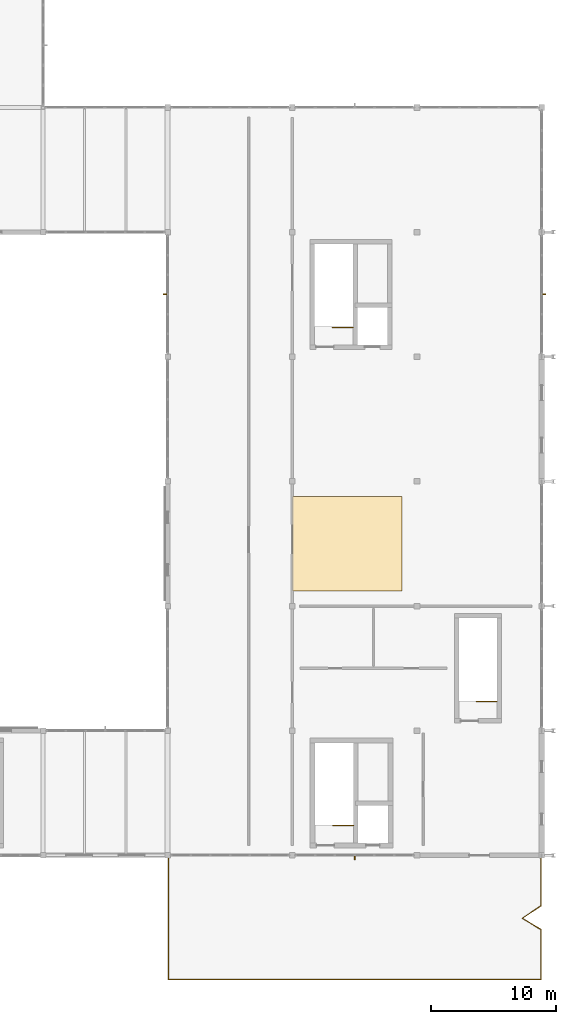
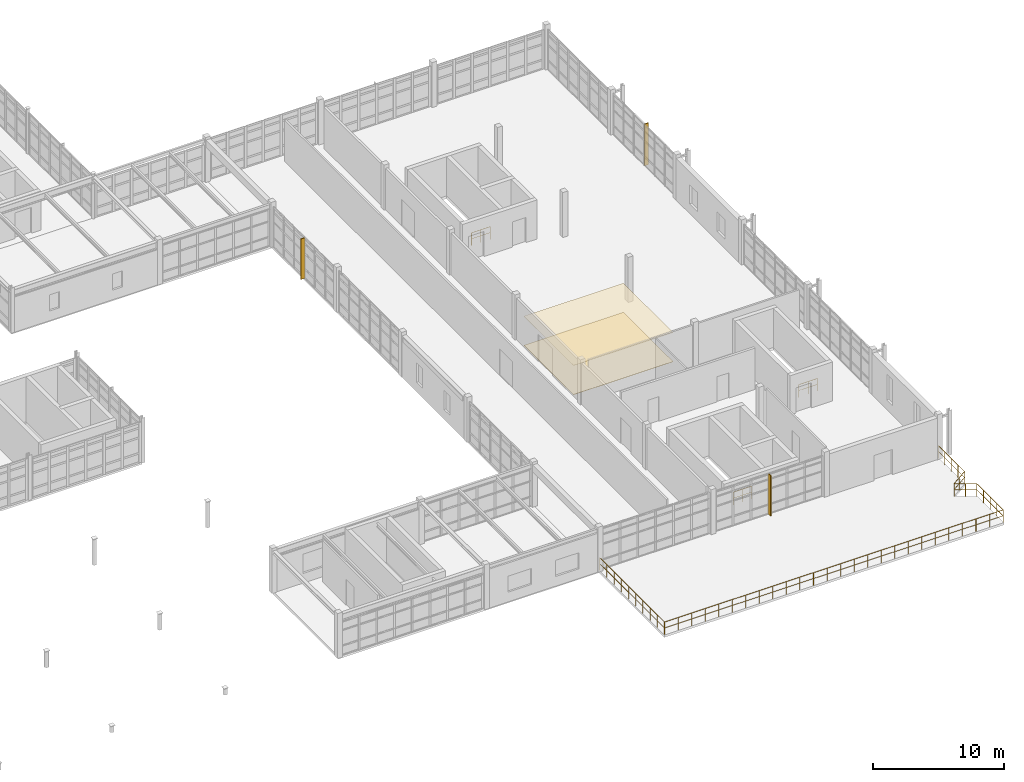
# One storey, part 121 of 122: 4 railings, 3 shading devices, 2 coverings.
"""IFC4 building model written with IfcOpenShell, lengths in metres."""

from ifc_helpers import new_model, si_unit, direction, frame, origin, origin_2d, place, context, subcontext, project, spatial, polyline, rectangle, circle, outline, extrude, material, layer, layer_set, type_object, element, save


model = new_model("IFC4")

# Units and contexts
model_context = context("Model", 3, precision=1e-05, world=origin(), true_north=direction((0.0, 1.0)))
body_context = subcontext(model_context, "Body", "Model", "MODEL_VIEW")
ifc_project = project(units=[si_unit("LENGTHUNIT", "METRE"), si_unit("AREAUNIT", "SQUARE_METRE"), si_unit("VOLUMEUNIT", "CUBIC_METRE"), si_unit("PLANEANGLEUNIT", "RADIAN"), si_unit("MASSUNIT", "GRAM", prefix="KILO"), si_unit("THERMODYNAMICTEMPERATUREUNIT", "KELVIN"), si_unit("POWERUNIT", "WATT")], contexts=[model_context])

# Site, building, storey
site_placement = place(None, origin())
site = spatial("IfcSite", under=ifc_project, at=site_placement, CompositionType="ELEMENT")
building_placement = place(site_placement, origin())
building = spatial("IfcBuilding", under=site, at=building_placement, Name="Korenveer Ferry Terminal", CompositionType="ELEMENT")
storey_placement = place(building_placement, frame((0.0, 0.0, 10.199951171875)))
storey = spatial("IfcBuildingStorey", under=building, at=storey_placement, Name="L02", CompositionType="ELEMENT", Elevation=10.199951171875)

# Railing
ifc_material_1 = material(Name="Marine stainless and bronze balustrade", Category="aluminium")
railing_type_1 = type_object("IfcRailingType", Name="ENV-RL-BAL120", PredefinedType="BALUSTRADE", material=ifc_material_1)
railing_1_placement = place(storey_placement, frame((146.050048828125, 19.949951171875, 0.0)))
element("IfcRailing", 1, at=railing_1_placement, inside=storey, type_object=railing_type_1, Name="Outdoor terrace balustrade 6", PredefinedType="BALUSTRADE", context=body_context, shape_type="SweptSolid", body=[
    extrude(circle(Radius=0.02392578125, at=origin_2d()), frame((0.0, 0.0, 1.17578125), z_axis=(0.0, -1.0, 0.0), x_axis=(1.0, 0.0, 0.0)), (0.0, 0.0, 1.0), 9.89990234375),
    extrude(circle(Radius=0.01806640625, at=origin_2d()), frame((0.0, 0.0, 0.6240234375), z_axis=(0.0, -1.0, 0.0), x_axis=(1.0, 0.0, 0.0)), (0.0, 0.0, 1.0), 9.89990234375),
    extrude(circle(Radius=0.02392578125, at=origin_2d()), frame((0.0, -9.89990234375, 1.17578125), z_axis=(1.0, 0.0, 0.0), x_axis=(0.0, 1.0, 0.0)), (0.0, 0.0, 1.0), 29.89990234375),
    extrude(circle(Radius=0.01806640625, at=origin_2d()), frame((0.0, -9.89990234375, 0.6240234375), z_axis=(1.0, 0.0, 0.0), x_axis=(0.0, 1.0, 0.0)), (0.0, 0.0, 1.0), 29.89990234375),
    extrude(circle(Radius=0.02392578125, at=origin_2d()), frame((29.89990234375, -9.89990234375, 1.17578125), z_axis=(0.0, 1.0, 0.0), x_axis=(-1.0, 0.0, 0.0)), (0.0, 0.0, 1.0), 4.0),
    extrude(circle(Radius=0.01806640625, at=origin_2d()), frame((29.89990234375, -9.89990234375, 0.6240234375), z_axis=(0.0, 1.0, 0.0), x_axis=(-1.0, 0.0, 0.0)), (0.0, 0.0, 1.0), 4.0),
    extrude(circle(Radius=0.02392578125, at=origin_2d()), frame((29.89990234375, -5.89990234375, 1.17578125), z_axis=(-0.857517554715, 0.514454704863, 0.0), x_axis=(-0.514454704863, -0.857517554715, 0.0)), (0.0, 0.0, 1.0), 1.749267578125),
    extrude(circle(Radius=0.01806640625, at=origin_2d()), frame((29.89990234375, -5.89990234375, 0.6240234375), z_axis=(-0.857517554715, 0.514454704863, 0.0), x_axis=(-0.514454704863, -0.857517554715, 0.0)), (0.0, 0.0, 1.0), 1.749267578125),
    extrude(circle(Radius=0.02392578125, at=origin_2d()), frame((28.39990234375, -5.0, 1.17578125), z_axis=(0.832050294338, 0.554700196225, 0.0), x_axis=(-0.554700196225, 0.832050294338, 0.0)), (0.0, 0.0, 1.0), 1.802734375),
    extrude(circle(Radius=0.01806640625, at=origin_2d()), frame((28.39990234375, -5.0, 0.6240234375), z_axis=(0.832050294338, 0.554700196225, 0.0), x_axis=(-0.554700196225, 0.832050294338, 0.0)), (0.0, 0.0, 1.0), 1.802734375),
    extrude(circle(Radius=0.02392578125, at=origin_2d()), frame((29.89990234375, -4.0, 1.17578125), z_axis=(0.0, 1.0, 0.0), x_axis=(-1.0, 0.0, 0.0)), (0.0, 0.0, 1.0), 4.0),
    extrude(circle(Radius=0.01806640625, at=origin_2d()), frame((29.89990234375, -4.0, 0.6240234375), z_axis=(0.0, 1.0, 0.0), x_axis=(-1.0, 0.0, 0.0)), (0.0, 0.0, 1.0), 4.0),
    extrude(circle(Radius=0.02099609375, at=origin_2d()), origin(), (0.0, 0.0, 1.0), 1.15185546875),
    extrude(circle(Radius=0.02099609375, at=origin_2d()), frame((0.0, -1.10009765625, 0.0)), (0.0, 0.0, 1.0), 1.15185546875),
    extrude(circle(Radius=0.02099609375, at=origin_2d()), frame((0.0, -2.199951171875, 0.0)), (0.0, 0.0, 1.0), 1.15185546875),
    extrude(circle(Radius=0.02099609375, at=origin_2d()), frame((0.0, -3.300048828125, 0.0)), (0.0, 0.0, 1.0), 1.15185546875),
    extrude(circle(Radius=0.02099609375, at=origin_2d()), frame((0.0, -4.39990234375, 0.0)), (0.0, 0.0, 1.0), 1.15185546875),
    extrude(circle(Radius=0.02099609375, at=origin_2d()), frame((0.0, -5.5, 0.0)), (0.0, 0.0, 1.0), 1.15185546875),
    extrude(circle(Radius=0.02099609375, at=origin_2d()), frame((0.0, -6.599853515625, 0.0)), (0.0, 0.0, 1.0), 1.15185546875),
    extrude(circle(Radius=0.02099609375, at=origin_2d()), frame((0.0, -7.699951171875, 0.0)), (0.0, 0.0, 1.0), 1.15185546875),
    extrude(circle(Radius=0.02099609375, at=origin_2d()), frame((0.0, -8.7998046875, 0.0)), (0.0, 0.0, 1.0), 1.15185546875),
    extrude(circle(Radius=0.02099609375, at=origin_2d()), frame((0.0, -9.89990234375, 0.0)), (0.0, 0.0, 1.0), 1.15185546875),
    extrude(circle(Radius=0.02099609375, at=origin_2d()), frame((1.196044921875, -9.89990234375, 0.0)), (0.0, 0.0, 1.0), 1.15185546875),
    extrude(circle(Radius=0.02099609375, at=origin_2d()), frame((2.39208984375, -9.89990234375, 0.0)), (0.0, 0.0, 1.0), 1.15185546875),
    extrude(circle(Radius=0.02099609375, at=origin_2d()), frame((3.587890625, -9.89990234375, 0.0)), (0.0, 0.0, 1.0), 1.15185546875),
    extrude(circle(Radius=0.02099609375, at=origin_2d()), frame((4.783935546875, -9.89990234375, 0.0)), (0.0, 0.0, 1.0), 1.15185546875),
    extrude(circle(Radius=0.02099609375, at=origin_2d()), frame((5.97998046875, -9.89990234375, 0.0)), (0.0, 0.0, 1.0), 1.15185546875),
    extrude(circle(Radius=0.02099609375, at=origin_2d()), frame((7.176025390625, -9.89990234375, 0.0)), (0.0, 0.0, 1.0), 1.15185546875),
    extrude(circle(Radius=0.02099609375, at=origin_2d()), frame((8.3720703125, -9.89990234375, 0.0)), (0.0, 0.0, 1.0), 1.15185546875),
    extrude(circle(Radius=0.02099609375, at=origin_2d()), frame((9.56787109375, -9.89990234375, 0.0)), (0.0, 0.0, 1.0), 1.15185546875),
    extrude(circle(Radius=0.02099609375, at=origin_2d()), frame((10.763916015625, -9.89990234375, 0.0)), (0.0, 0.0, 1.0), 1.15185546875),
    extrude(circle(Radius=0.02099609375, at=origin_2d()), frame((11.9599609375, -9.89990234375, 0.0)), (0.0, 0.0, 1.0), 1.15185546875),
    extrude(circle(Radius=0.02099609375, at=origin_2d()), frame((13.156005859375, -9.89990234375, 0.0)), (0.0, 0.0, 1.0), 1.15185546875),
    extrude(circle(Radius=0.02099609375, at=origin_2d()), frame((14.35205078125, -9.89990234375, 0.0)), (0.0, 0.0, 1.0), 1.15185546875),
    extrude(circle(Radius=0.02099609375, at=origin_2d()), frame((15.5478515625, -9.89990234375, 0.0)), (0.0, 0.0, 1.0), 1.15185546875),
    extrude(circle(Radius=0.02099609375, at=origin_2d()), frame((16.743896484375, -9.89990234375, 0.0)), (0.0, 0.0, 1.0), 1.15185546875),
    extrude(circle(Radius=0.02099609375, at=origin_2d()), frame((17.93994140625, -9.89990234375, 0.0)), (0.0, 0.0, 1.0), 1.15185546875),
    extrude(circle(Radius=0.02099609375, at=origin_2d()), frame((19.135986328125, -9.89990234375, 0.0)), (0.0, 0.0, 1.0), 1.15185546875),
    extrude(circle(Radius=0.02099609375, at=origin_2d()), frame((20.33203125, -9.89990234375, 0.0)), (0.0, 0.0, 1.0), 1.15185546875),
    extrude(circle(Radius=0.02099609375, at=origin_2d()), frame((21.52783203125, -9.89990234375, 0.0)), (0.0, 0.0, 1.0), 1.15185546875),
    extrude(circle(Radius=0.02099609375, at=origin_2d()), frame((22.723876953125, -9.89990234375, 0.0)), (0.0, 0.0, 1.0), 1.15185546875),
    extrude(circle(Radius=0.02099609375, at=origin_2d()), frame((23.919921875, -9.89990234375, 0.0)), (0.0, 0.0, 1.0), 1.15185546875),
    extrude(circle(Radius=0.02099609375, at=origin_2d()), frame((25.115966796875, -9.89990234375, 0.0)), (0.0, 0.0, 1.0), 1.15185546875),
    extrude(circle(Radius=0.02099609375, at=origin_2d()), frame((26.31201171875, -9.89990234375, 0.0)), (0.0, 0.0, 1.0), 1.15185546875),
    extrude(circle(Radius=0.02099609375, at=origin_2d()), frame((27.5078125, -9.89990234375, 0.0)), (0.0, 0.0, 1.0), 1.15185546875),
    extrude(circle(Radius=0.02099609375, at=origin_2d()), frame((28.703857421875, -9.89990234375, 0.0)), (0.0, 0.0, 1.0), 1.15185546875),
    extrude(circle(Radius=0.02099609375, at=origin_2d()), frame((29.89990234375, -9.89990234375, 0.0)), (0.0, 0.0, 1.0), 1.15185546875),
    extrude(circle(Radius=0.02099609375, at=origin_2d()), frame((29.89990234375, -8.89990234375, 0.0)), (0.0, 0.0, 1.0), 1.15185546875),
    extrude(circle(Radius=0.02099609375, at=origin_2d()), frame((29.89990234375, -7.89990234375, 0.0)), (0.0, 0.0, 1.0), 1.15185546875),
    extrude(circle(Radius=0.02099609375, at=origin_2d()), frame((29.89990234375, -6.89990234375, 0.0)), (0.0, 0.0, 1.0), 1.15185546875),
    extrude(circle(Radius=0.02099609375, at=origin_2d()), frame((29.89990234375, -5.89990234375, 0.0)), (0.0, 0.0, 1.0), 1.15185546875),
    extrude(circle(Radius=0.02099609375, at=origin_2d()), frame((29.14990234375, -5.449951171875, 0.0)), (0.0, 0.0, 1.0), 1.15185546875),
    extrude(circle(Radius=0.02099609375, at=origin_2d()), frame((28.39990234375, -5.0, 0.0)), (0.0, 0.0, 1.0), 1.15185546875),
    extrude(circle(Radius=0.02099609375, at=origin_2d()), frame((29.14990234375, -4.5, 0.0)), (0.0, 0.0, 1.0), 1.15185546875),
    extrude(circle(Radius=0.02099609375, at=origin_2d()), frame((29.89990234375, -4.0, 0.0)), (0.0, 0.0, 1.0), 1.15185546875),
    extrude(circle(Radius=0.02099609375, at=origin_2d()), frame((29.89990234375, -3.0, 0.0)), (0.0, 0.0, 1.0), 1.15185546875),
    extrude(circle(Radius=0.02099609375, at=origin_2d()), frame((29.89990234375, -2.0, 0.0)), (0.0, 0.0, 1.0), 1.15185546875),
    extrude(circle(Radius=0.02099609375, at=origin_2d()), frame((29.89990234375, -1.0, 0.0)), (0.0, 0.0, 1.0), 1.15185546875),
    extrude(circle(Radius=0.02099609375, at=origin_2d()), frame((29.89990234375, 0.0, 0.0)), (0.0, 0.0, 1.0), 1.15185546875),
])

# Shading devices
ifc_material_2 = material(Name="Anodised bronze aluminium solar fin", Category="aluminium")
shading_device_type = type_object("IfcShadingDeviceType", Name="ENV-SHD-FIN", PredefinedType="JALOUSIE", material=ifc_material_2)
for number, where, z_axis, x_axis, name in (
    (2, (161.0, 19.840087890625, -0.02001953125), (0.0, 0.0, 1.0), (0.0, 1.0, 0.0), "Gothic solar fin 39"),
    (3, (145.840087890625, 65.0, -0.02001953125), (0.0, 0.0, 1.0), (1.0, 0.0, 0.0), "Gothic solar fin 59"),
):
    element("IfcShadingDevice", number, at=place(storey_placement, frame(where, z_axis=z_axis, x_axis=x_axis)), inside=storey, type_object=shading_device_type, Name=name, PredefinedType="JALOUSIE", context=body_context, shape_type="SweptSolid", body=[
        extrude(rectangle(XDim=0.360107421875, YDim=0.080078125, at=origin_2d()), origin(), (0.0, 0.0, 1.0), 3.780029296875),
    ])
shading_device_placement = place(storey_placement, frame((176.159912109375, 65.0, -0.019775390625), z_axis=(0.0, 0.0, 1.0), x_axis=(1.0, 0.0, 0.0)))
element("IfcShadingDevice", 4, at=shading_device_placement, inside=storey, type_object=shading_device_type, Name="Gothic solar fin 60", PredefinedType="JALOUSIE", context=body_context, shape_type="SweptSolid", body=[
    extrude(rectangle(XDim=0.360107421875, YDim=0.080078125, at=origin_2d()), origin(), (0.0, 0.0, 1.0), 3.8798828125),
])

# Coverings
ifc_material_3 = material(Name="Mineral acoustic ceiling board", Category="other")
ifc_layer_1 = layer(ifc_material_3, 0.02490234375)
ifc_layer_set_1 = layer_set([ifc_layer_1], Name="Mineral acoustic ceiling board")
covering_type_1 = type_object("IfcCoveringType", Name="INT-COV-CEIL", PredefinedType="CEILING", material=ifc_layer_set_1)
covering_1_placement = place(storey_placement, frame((0.0, 0.0, 2.72509765625)))
element("IfcCovering", 5, at=covering_1_placement, inside=storey, type_object=covering_type_1, Name="Acoustic room ceiling 10", PredefinedType="CEILING", context=body_context, shape_type="SweptSolid", body=[
    extrude(outline(polyline([(156.0, 41.199951171875), (164.800048828125, 41.199951171875), (164.800048828125, 48.800048828125), (156.0, 48.800048828125), (156.0, 41.199951171875)])), origin(), (0.0, 0.0, 1.0), 0.02490234375),
])
ifc_material_4 = material(Name="Polished terrazzo tile finish", Category="masonry")
ifc_layer_2 = layer(ifc_material_4, 0.030029296875)
ifc_layer_set_2 = layer_set([ifc_layer_2], Name="Polished terrazzo tile finish")
covering_type_2 = type_object("IfcCoveringType", Name="INT-COV-FLR", PredefinedType="FLOORING", material=ifc_layer_set_2)
covering_2_placement = place(storey_placement, origin())
element("IfcCovering", 6, at=covering_2_placement, inside=storey, type_object=covering_type_2, Name="Terrazzo floor finish 10", PredefinedType="FLOORING", context=body_context, shape_type="SweptSolid", body=[
    extrude(outline(polyline([(156.0, 41.199951171875), (164.800048828125, 41.199951171875), (164.800048828125, 48.800048828125), (156.0, 48.800048828125), (156.0, 41.199951171875)])), origin(), (0.0, 0.0, 1.0), 0.030029296875),
])

# Railings
ifc_material_5 = material(Name="Painted steel stair guard", Category="steel")
railing_type_2 = type_object("IfcRailingType", Name="INT-RL-STGRD", PredefinedType="GUARDRAIL", material=ifc_material_5)
railing_2_placement = place(storey_placement, frame((160.89990234375, 22.39990234375, 0.0)))
element("IfcRailing", 7, at=railing_2_placement, inside=storey, type_object=railing_type_2, Name="L02 ST03 top well guard 1", PredefinedType="GUARDRAIL", context=body_context, shape_type="SweptSolid", body=[
    extrude(circle(Radius=0.02392578125, at=origin_2d()), frame((0.0, 0.0, 1.17578125), z_axis=(-1.0, 0.0, 0.0), x_axis=(0.0, -1.0, 0.0)), (0.0, 0.0, 1.0), 1.64990234375),
    extrude(circle(Radius=0.01806640625, at=origin_2d()), frame((0.0, 0.0, 0.6240234375), z_axis=(-1.0, 0.0, 0.0), x_axis=(0.0, -1.0, 0.0)), (0.0, 0.0, 1.0), 1.64990234375),
    extrude(circle(Radius=0.02099609375, at=origin_2d()), origin(), (0.0, 0.0, 1.0), 1.15185546875),
    extrude(circle(Radius=0.02099609375, at=origin_2d()), frame((-0.824951171875, 0.0, 0.0)), (0.0, 0.0, 1.0), 1.15185546875),
    extrude(circle(Radius=0.02099609375, at=origin_2d()), frame((-1.64990234375, 0.0, 0.0)), (0.0, 0.0, 1.0), 1.15185546875),
])
railing_3_placement = place(storey_placement, frame((160.860107421875, 62.360107421875, 0.0)))
element("IfcRailing", 8, at=railing_3_placement, inside=storey, type_object=railing_type_2, Name="L02 ST04 top well guard 1", PredefinedType="GUARDRAIL", context=body_context, shape_type="SweptSolid", body=[
    extrude(circle(Radius=0.02392578125, at=origin_2d()), frame((0.0, 0.0, 1.17578125), z_axis=(-1.0, 0.0, 0.0), x_axis=(0.0, -1.0, 0.0)), (0.0, 0.0, 1.0), 1.650146484375),
    extrude(circle(Radius=0.01806640625, at=origin_2d()), frame((0.0, 0.0, 0.6240234375), z_axis=(-1.0, 0.0, 0.0), x_axis=(0.0, -1.0, 0.0)), (0.0, 0.0, 1.0), 1.650146484375),
    extrude(circle(Radius=0.02099609375, at=origin_2d()), origin(), (0.0, 0.0, 1.0), 1.15185546875),
    extrude(circle(Radius=0.02099609375, at=origin_2d()), frame((-0.8251953125, 0.0, 0.0)), (0.0, 0.0, 1.0), 1.15185546875),
    extrude(circle(Radius=0.02099609375, at=origin_2d()), frame((-1.650146484375, 0.0, 0.0)), (0.0, 0.0, 1.0), 1.15185546875),
])
railing_4_placement = place(storey_placement, frame((172.39990234375, 32.330078125, 0.0)))
element("IfcRailing", 9, at=railing_4_placement, inside=storey, type_object=railing_type_2, Name="L02 ST12 top well guard 1", PredefinedType="GUARDRAIL", context=body_context, shape_type="SweptSolid", body=[
    extrude(circle(Radius=0.02392578125, at=origin_2d()), frame((0.0, 0.0, 1.17578125), z_axis=(-1.0, 0.0, 0.0), x_axis=(0.0, -1.0, 0.0)), (0.0, 0.0, 1.0), 1.619873046875),
    extrude(circle(Radius=0.01806640625, at=origin_2d()), frame((0.0, 0.0, 0.6240234375), z_axis=(-1.0, 0.0, 0.0), x_axis=(0.0, -1.0, 0.0)), (0.0, 0.0, 1.0), 1.619873046875),
    extrude(circle(Radius=0.02099609375, at=origin_2d()), origin(), (0.0, 0.0, 1.0), 1.15185546875),
    extrude(circle(Radius=0.02099609375, at=origin_2d()), frame((-0.81005859375, 0.0, 0.0)), (0.0, 0.0, 1.0), 1.15185546875),
    extrude(circle(Radius=0.02099609375, at=origin_2d()), frame((-1.619873046875, 0.0, 0.0)), (0.0, 0.0, 1.0), 1.15185546875),
])

save(model, "model.ifc")
